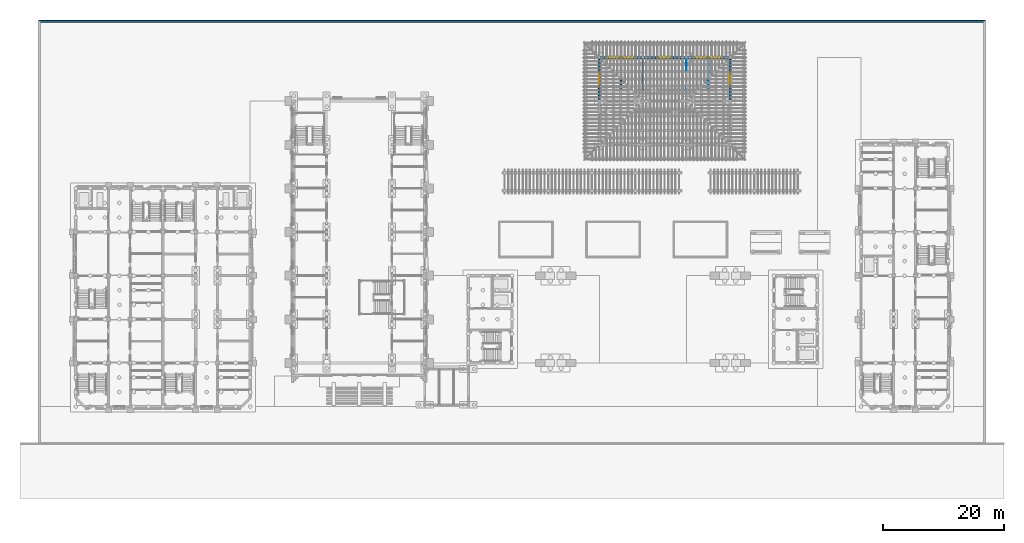
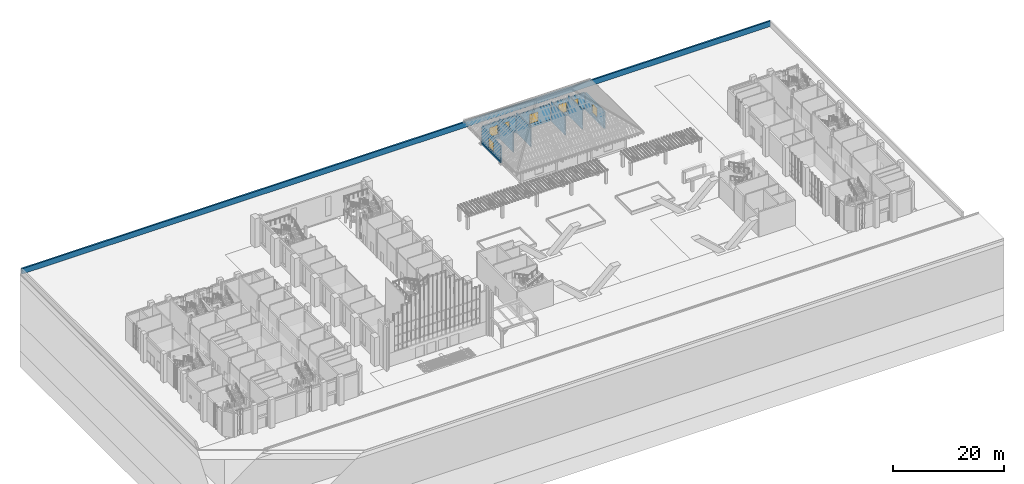
# One storey, part 41 of 84: 15 walls, 7 windows, 7 openings.
"""IFC4 building model written with IfcOpenShell, lengths in metres."""

from ifc_helpers import new_model, si_unit, direction, frame, frame_2d, origin, place, context, subcontext, project, spatial, rectangle, extrude, material, layer, layer_set, type_object, element, fill, save


model = new_model("IFC4")

# Units and contexts
model_context = context("Model", 3, precision=1e-05, world=origin(), true_north=direction((0.0, 1.0)))
body_context = subcontext(model_context, "Body", "Model", "MODEL_VIEW")
ifc_project = project(units=[si_unit("LENGTHUNIT", "METRE"), si_unit("AREAUNIT", "SQUARE_METRE"), si_unit("VOLUMEUNIT", "CUBIC_METRE"), si_unit("PLANEANGLEUNIT", "RADIAN"), si_unit("MASSUNIT", "GRAM", prefix="KILO")], contexts=[model_context])

# Site, building, storey
site_placement = place(None, origin())
site = spatial("IfcSite", under=ifc_project, at=site_placement, CompositionType="ELEMENT")
building_placement = place(site_placement, origin())
building = spatial("IfcBuilding", under=site, at=building_placement, Name="Mazhai Court Health Centre", CompositionType="ELEMENT")
storey_placement = place(building_placement, origin())
storey = spatial("IfcBuildingStorey", under=building, at=storey_placement, Name="L00", CompositionType="ELEMENT", Elevation=0.0)

# Walls
ifc_material_1 = material(Name="Clay brick masonry", Category="masonry")
ifc_layer_1 = layer(ifc_material_1, 0.330078125)
ifc_layer_set_1 = layer_set([ifc_layer_1], Name="BRICK BOUNDARY WALL 330")
wall_type_1 = type_object("IfcWallType", Name="BRICK BOUNDARY WALL 330", PredefinedType="SOLIDWALL", material=ifc_layer_set_1)
wall_1_placement = place(storey_placement, frame((0.199951171875, 69.800048828125, 0.0), z_axis=(0.0, 0.0, 1.0), x_axis=(1.0, 0.0, 0.0)))
element("IfcWall", 1, at=wall_1_placement, inside=storey, type_object=wall_type_1, Name="Boundary wall N", PredefinedType="SOLIDWALL", context=body_context, shape_type="SweptSolid", body=[
    extrude(rectangle(XDim=156.0, YDim=0.330078125, at=frame_2d((78.0, 0.0))), origin(), (0.0, 0.0, 1.0), 1.199951171875),
])
ifc_material_2 = material(Name="Clay brick masonry", Category="masonry")
ifc_layer_2 = layer(ifc_material_2, 0.330078125)
ifc_layer_set_2 = layer_set([ifc_layer_2], Name="BRICK PLINTH 330")
wall_type_2 = type_object("IfcWallType", Name="BRICK PLINTH 330", PredefinedType="SOLIDWALL", material=ifc_layer_set_2)
wall_2_placement = place(storey_placement, frame((92.760009765625, 63.800048828125, 0.0), z_axis=(0.0, 0.0, 1.0), x_axis=(1.0, 0.0, 0.0)))
element("IfcWall", 2, at=wall_2_placement, inside=storey, type_object=wall_type_2, Name="EW-V3-N0-pl", PredefinedType="SOLIDWALL", context=body_context, shape_type="SweptSolid", body=[
    extrude(rectangle(XDim=6.8798828125, YDim=0.330078125, at=frame_2d((3.43994140625, 0.0))), origin(), (0.0, 0.0, 1.0), 0.449951171875),
])
for number, where, z_axis, x_axis, name in (
    (3, (99.9599609375, 63.800048828125, 0.0), (0.0, 0.0, 1.0), (1.0, 0.0, 0.0), "EW-V3-N1-pl"),
    (4, (107.159912109375, 63.800048828125, 0.0), (0.0, 0.0, 1.0), (1.0, 0.0, 0.0), "EW-V3-N2-pl"),
):
    element("IfcWall", number, at=place(storey_placement, frame(where, z_axis=z_axis, x_axis=x_axis)), inside=storey, type_object=wall_type_2, Name=name, PredefinedType="SOLIDWALL", context=body_context, shape_type="SweptSolid", body=[
        extrude(rectangle(XDim=6.880126953125, YDim=0.330078125, at=frame_2d((3.43994140625, 0.0))), origin(), (0.0, 0.0, 1.0), 0.449951171875),
    ])
for number, where, z_axis, x_axis, name in (
    (5, (92.60009765625, 56.760009765625, 0.0), (0.0, 0.0, 1.0), (0.0, 1.0, 0.0), "EW-V3-W1-pl"),
    (6, (114.199951171875, 63.639892578125, 0.0), (0.0, 0.0, 1.0), (0.0, -1.0, 0.0), "EW-V3-E1-pl"),
):
    element("IfcWall", number, at=place(storey_placement, frame(where, z_axis=z_axis, x_axis=x_axis)), inside=storey, type_object=wall_type_2, Name=name, PredefinedType="SOLIDWALL", context=body_context, shape_type="SweptSolid", body=[
        extrude(rectangle(XDim=6.8798828125, YDim=0.330078125, at=frame_2d((3.43994140625, 0.0))), origin(), (0.0, 0.0, 1.0), 0.449951171875),
    ])
ifc_material_3 = material(Name="Gypsum plasterboard partition")
ifc_layer_3 = layer(ifc_material_3, 0.125)
ifc_layer_set_3 = layer_set([ifc_layer_3], Name="PARTITION 125 STUD EI30")
wall_type_3 = type_object("IfcWallType", Name="PARTITION 125 STUD EI30", PredefinedType="PARTITIONING", material=ifc_layer_set_3)
wall_3_placement = place(storey_placement, frame((107.0, 63.635009765625, 0.0), z_axis=(0.0, 0.0, 1.0), x_axis=(0.0, -1.0, 0.0)))
element("IfcWall", 7, at=wall_3_placement, inside=storey, type_object=wall_type_3, Name="wall-V3-L00-N-cross-3a", PredefinedType="PARTITIONING", context=body_context, shape_type="SweptSolid", body=[
    extrude(rectangle(XDim=5.159912109375, YDim=0.125, at=frame_2d((2.580078125, 0.0))), origin(), (0.0, 0.0, 1.0), 4.38232421875),
])
ifc_material_4 = material(Name="Gypsum plasterboard partition")
ifc_layer_4 = layer(ifc_material_4, 0.14990234375)
ifc_layer_set_4 = layer_set([ifc_layer_4], Name="PARTITION 150 WET AREA EI30")
wall_type_4 = type_object("IfcWallType", Name="PARTITION 150 WET AREA EI30", PredefinedType="PARTITIONING", material=ifc_layer_set_4)
wall_4_placement = place(storey_placement, frame((110.60009765625, 63.635009765625, 0.0), z_axis=(0.0, 0.0, 1.0), x_axis=(0.0, -1.0, 0.0)))
element("IfcWall", 8, at=wall_4_placement, inside=storey, type_object=wall_type_4, Name="wall-V3-L00-N-cross-4a", PredefinedType="PARTITIONING", context=body_context, shape_type="SweptSolid", body=[
    extrude(rectangle(XDim=5.159912109375, YDim=0.14990234375, at=frame_2d((2.580078125, 0.0))), origin(), (0.0, 0.0, 1.0), 4.38232421875),
])
ifc_material_5 = material(Name="Gypsum plasterboard partition")
ifc_layer_5 = layer(ifc_material_5, 0.199951171875)
ifc_layer_set_5 = layer_set([ifc_layer_5], Name="PARTITION 200 ACOUSTIC EI30")
wall_type_5 = type_object("IfcWallType", Name="PARTITION 200 ACOUSTIC EI30", PredefinedType="PARTITIONING", material=ifc_layer_set_5)
for number, where, z_axis, x_axis, name in (
    (9, (96.199951171875, 63.635009765625, 0.0), (0.0, 0.0, 1.0), (0.0, -1.0, 0.0), "wall-V3-L00-N-cross-1a"),
    (10, (99.800048828125, 63.635009765625, 0.0), (0.0, 0.0, 1.0), (0.0, -1.0, 0.0), "wall-V3-L00-N-cross-2a"),
):
    element("IfcWall", number, at=place(storey_placement, frame(where, z_axis=z_axis, x_axis=x_axis)), inside=storey, type_object=wall_type_5, Name=name, PredefinedType="PARTITIONING", context=body_context, shape_type="SweptSolid", body=[
        extrude(rectangle(XDim=5.159912109375, YDim=0.199951171875, at=frame_2d((2.580078125, 0.0))), origin(), (0.0, 0.0, 1.0), 4.38232421875),
    ])

# Wall, openings, windows
ifc_material_6 = material(Name="Teak timber cladding on timber frame", Category="wood")
ifc_layer_6 = layer(ifc_material_6, 0.300048828125)
ifc_layer_set_6 = layer_set([ifc_layer_6], Name="TIMBER CLAD WALL 300")
wall_type_6 = type_object("IfcWallType", Name="TIMBER CLAD WALL 300", PredefinedType="PARTITIONING", material=ifc_layer_set_6)
wall_5_placement = place(storey_placement, frame((92.760009765625, 63.800048828125, 0.449951171875), z_axis=(0.0, 0.0, 1.0), x_axis=(1.0, 0.0, 0.0)))
wall_5 = element("IfcWall", 11, at=wall_5_placement, inside=storey, type_object=wall_type_6, Name="EW-V3-N0", PredefinedType="PARTITIONING", context=body_context, shape_type="SweptSolid", body=[
    extrude(rectangle(XDim=6.8798828125, YDim=0.300048828125, at=frame_2d((3.43994140625, 0.0))), origin(), (0.0, 0.0, 1.0), 3.35009765625),
])
opening_1_placement = place(wall_5_placement, frame((1.340087890625, 0.0, 0.449951171875)))
opening_1 = element("IfcOpeningElement", 12, at=opening_1_placement, cuts=wall_5, Name="Opening W6", PredefinedType="OPENING", context=body_context, shape_type="SweptSolid", body=[
    extrude(rectangle(XDim=1.800048828125, YDim=2.10009765625, at=frame_2d((0.89990234375, 1.050048828125))), frame((0.0, 0.159912109375, 0.0), z_axis=(0.0, -1.0, 0.0), x_axis=(1.0, 0.0, 0.0)), (0.0, 0.0, 1.0), 0.320068359375),
])
opening_2_placement = place(wall_5_placement, frame((3.739990234375, 0.0, 0.449951171875)))
opening_2 = element("IfcOpeningElement", 13, at=opening_2_placement, cuts=wall_5, Name="Opening W6", PredefinedType="OPENING", context=body_context, shape_type="SweptSolid", body=[
    extrude(rectangle(XDim=1.800048828125, YDim=2.10009765625, at=frame_2d((0.89990234375, 1.050048828125))), frame((0.0, 0.159912109375, 0.0), z_axis=(0.0, -1.0, 0.0), x_axis=(1.0, 0.0, 0.0)), (0.0, 0.0, 1.0), 0.320068359375),
])
ifc_material_7 = material(Name="Teak timber frame, glazed", Category="wood")
window_type = type_object("IfcWindowType", Name="WINDOW PAVILION 1800x2100", PartitioningType="SINGLE_PANEL", PredefinedType="WINDOW", material=ifc_material_7)
window_1_placement = place(opening_1_placement, origin())
window_1 = element("IfcWindow", 14, at=window_1_placement, inside=storey, type_object=window_type, Name="W6 WN-V3-N0a", OverallHeight=2.10009765625, OverallWidth=1.800048828125, PartitioningType="SINGLE_PANEL", PredefinedType="WINDOW", context=body_context, shape_type="SweptSolid", body=[
    extrude(rectangle(XDim=1.800048828125, YDim=2.10009765625, at=frame_2d((0.89990234375, 1.050048828125))), frame((0.0, 0.030029296875, 0.0), z_axis=(0.0, -1.0, 0.0), x_axis=(1.0, 0.0, 0.0)), (0.0, 0.0, 1.0), 0.06005859375),
])
fill(opening_1, window_1)
window_2_placement = place(opening_2_placement, origin())
window_2 = element("IfcWindow", 15, at=window_2_placement, inside=storey, type_object=window_type, Name="W6 WN-V3-N0b", OverallHeight=2.10009765625, OverallWidth=1.800048828125, PartitioningType="SINGLE_PANEL", PredefinedType="WINDOW", context=body_context, shape_type="SweptSolid", body=[
    extrude(rectangle(XDim=1.800048828125, YDim=2.10009765625, at=frame_2d((0.89990234375, 1.050048828125))), frame((0.0, 0.030029296875, 0.0), z_axis=(0.0, -1.0, 0.0), x_axis=(1.0, 0.0, 0.0)), (0.0, 0.0, 1.0), 0.06005859375),
])
fill(opening_2, window_2)

# Wall, opening, window
wall_6_placement = place(storey_placement, frame((99.9599609375, 63.800048828125, 0.449951171875), z_axis=(0.0, 0.0, 1.0), x_axis=(1.0, 0.0, 0.0)))
wall_6 = element("IfcWall", 16, at=wall_6_placement, inside=storey, type_object=wall_type_6, Name="EW-V3-N1", PredefinedType="PARTITIONING", context=body_context, shape_type="SweptSolid", body=[
    extrude(rectangle(XDim=6.880126953125, YDim=0.300048828125, at=frame_2d((3.43994140625, 0.0))), origin(), (0.0, 0.0, 1.0), 3.35009765625),
])
opening_3_placement = place(wall_6_placement, frame((2.5400390625, 0.0, 0.449951171875)))
opening_3 = element("IfcOpeningElement", 17, at=opening_3_placement, cuts=wall_6, Name="Opening W6", PredefinedType="OPENING", context=body_context, shape_type="SweptSolid", body=[
    extrude(rectangle(XDim=1.800048828125, YDim=2.10009765625, at=frame_2d((0.89990234375, 1.050048828125))), frame((0.0, 0.159912109375, 0.0), z_axis=(0.0, -1.0, 0.0), x_axis=(1.0, 0.0, 0.0)), (0.0, 0.0, 1.0), 0.320068359375),
])
window_3_placement = place(opening_3_placement, origin())
window_3 = element("IfcWindow", 18, at=window_3_placement, inside=storey, type_object=window_type, Name="W6 WN-V3-N1", OverallHeight=2.10009765625, OverallWidth=1.800048828125, PartitioningType="SINGLE_PANEL", PredefinedType="WINDOW", context=body_context, shape_type="SweptSolid", body=[
    extrude(rectangle(XDim=1.800048828125, YDim=2.10009765625, at=frame_2d((0.89990234375, 1.050048828125))), frame((0.0, 0.030029296875, 0.0), z_axis=(0.0, -1.0, 0.0), x_axis=(1.0, 0.0, 0.0)), (0.0, 0.0, 1.0), 0.06005859375),
])
fill(opening_3, window_3)

# Wall, openings, windows
wall_7_placement = place(storey_placement, frame((107.159912109375, 63.800048828125, 0.449951171875), z_axis=(0.0, 0.0, 1.0), x_axis=(1.0, 0.0, 0.0)))
wall_7 = element("IfcWall", 19, at=wall_7_placement, inside=storey, type_object=wall_type_6, Name="EW-V3-N2", PredefinedType="PARTITIONING", context=body_context, shape_type="SweptSolid", body=[
    extrude(rectangle(XDim=6.880126953125, YDim=0.300048828125, at=frame_2d((3.43994140625, 0.0))), origin(), (0.0, 0.0, 1.0), 3.35009765625),
])
opening_4_placement = place(wall_7_placement, frame((1.340087890625, 0.0, 0.449951171875)))
opening_4 = element("IfcOpeningElement", 20, at=opening_4_placement, cuts=wall_7, Name="Opening W6", PredefinedType="OPENING", context=body_context, shape_type="SweptSolid", body=[
    extrude(rectangle(XDim=1.800048828125, YDim=2.10009765625, at=frame_2d((0.89990234375, 1.050048828125))), frame((0.0, 0.159912109375, 0.0), z_axis=(0.0, -1.0, 0.0), x_axis=(1.0, 0.0, 0.0)), (0.0, 0.0, 1.0), 0.320068359375),
])
opening_5_placement = place(wall_7_placement, frame((3.739990234375, 0.0, 0.449951171875)))
opening_5 = element("IfcOpeningElement", 21, at=opening_5_placement, cuts=wall_7, Name="Opening W6", PredefinedType="OPENING", context=body_context, shape_type="SweptSolid", body=[
    extrude(rectangle(XDim=1.800048828125, YDim=2.10009765625, at=frame_2d((0.89990234375, 1.050048828125))), frame((0.0, 0.159912109375, 0.0), z_axis=(0.0, -1.0, 0.0), x_axis=(1.0, 0.0, 0.0)), (0.0, 0.0, 1.0), 0.320068359375),
])
window_4_placement = place(opening_4_placement, origin())
window_4 = element("IfcWindow", 22, at=window_4_placement, inside=storey, type_object=window_type, Name="W6 WN-V3-N2a", OverallHeight=2.10009765625, OverallWidth=1.800048828125, PartitioningType="SINGLE_PANEL", PredefinedType="WINDOW", context=body_context, shape_type="SweptSolid", body=[
    extrude(rectangle(XDim=1.800048828125, YDim=2.10009765625, at=frame_2d((0.89990234375, 1.050048828125))), frame((0.0, 0.030029296875, 0.0), z_axis=(0.0, -1.0, 0.0), x_axis=(1.0, 0.0, 0.0)), (0.0, 0.0, 1.0), 0.06005859375),
])
fill(opening_4, window_4)
window_5_placement = place(opening_5_placement, origin())
window_5 = element("IfcWindow", 23, at=window_5_placement, inside=storey, type_object=window_type, Name="W6 WN-V3-N2b", OverallHeight=2.10009765625, OverallWidth=1.800048828125, PartitioningType="SINGLE_PANEL", PredefinedType="WINDOW", context=body_context, shape_type="SweptSolid", body=[
    extrude(rectangle(XDim=1.800048828125, YDim=2.10009765625, at=frame_2d((0.89990234375, 1.050048828125))), frame((0.0, 0.030029296875, 0.0), z_axis=(0.0, -1.0, 0.0), x_axis=(1.0, 0.0, 0.0)), (0.0, 0.0, 1.0), 0.06005859375),
])
fill(opening_5, window_5)

# Wall, opening, window
wall_8_placement = place(storey_placement, frame((92.60009765625, 56.760009765625, 0.449951171875), z_axis=(0.0, 0.0, 1.0), x_axis=(0.0, 1.0, 0.0)))
wall_8 = element("IfcWall", 24, at=wall_8_placement, inside=storey, type_object=wall_type_6, Name="EW-V3-W1", PredefinedType="PARTITIONING", context=body_context, shape_type="SweptSolid", body=[
    extrude(rectangle(XDim=6.8798828125, YDim=0.300048828125, at=frame_2d((3.43994140625, 0.0))), origin(), (0.0, 0.0, 1.0), 3.35009765625),
])
opening_6_placement = place(wall_8_placement, frame((2.5400390625, 0.0, 0.449951171875)))
opening_6 = element("IfcOpeningElement", 25, at=opening_6_placement, cuts=wall_8, Name="Opening W6", PredefinedType="OPENING", context=body_context, shape_type="SweptSolid", body=[
    extrude(rectangle(XDim=1.800048828125, YDim=2.10009765625, at=frame_2d((0.89990234375, 1.050048828125))), frame((0.0, 0.159912109375, 0.0), z_axis=(0.0, -1.0, 0.0), x_axis=(1.0, 0.0, 0.0)), (0.0, 0.0, 1.0), 0.320068359375),
])
window_6_placement = place(opening_6_placement, origin())
window_6 = element("IfcWindow", 26, at=window_6_placement, inside=storey, type_object=window_type, Name="W6 WN-V3-W1", OverallHeight=2.10009765625, OverallWidth=1.800048828125, PartitioningType="SINGLE_PANEL", PredefinedType="WINDOW", context=body_context, shape_type="SweptSolid", body=[
    extrude(rectangle(XDim=1.800048828125, YDim=2.10009765625, at=frame_2d((0.89990234375, 1.050048828125))), frame((0.0, 0.030029296875, 0.0), z_axis=(0.0, -1.0, 0.0), x_axis=(1.0, 0.0, 0.0)), (0.0, 0.0, 1.0), 0.06005859375),
])
fill(opening_6, window_6)

wall_9_placement = place(storey_placement, frame((114.199951171875, 63.639892578125, 0.449951171875), z_axis=(0.0, 0.0, 1.0), x_axis=(0.0, -1.0, 0.0)))
wall_9 = element("IfcWall", 27, at=wall_9_placement, inside=storey, type_object=wall_type_6, Name="EW-V3-E1", PredefinedType="PARTITIONING", context=body_context, shape_type="SweptSolid", body=[
    extrude(rectangle(XDim=6.8798828125, YDim=0.300048828125, at=frame_2d((3.43994140625, 0.0))), origin(), (0.0, 0.0, 1.0), 3.35009765625),
])
opening_7_placement = place(wall_9_placement, frame((2.5400390625, 0.0, 0.449951171875)))
opening_7 = element("IfcOpeningElement", 28, at=opening_7_placement, cuts=wall_9, Name="Opening W6", PredefinedType="OPENING", context=body_context, shape_type="SweptSolid", body=[
    extrude(rectangle(XDim=1.800048828125, YDim=2.10009765625, at=frame_2d((0.89990234375, 1.050048828125))), frame((0.0, 0.159912109375, 0.0), z_axis=(0.0, -1.0, 0.0), x_axis=(1.0, 0.0, 0.0)), (0.0, 0.0, 1.0), 0.320068359375),
])
window_7_placement = place(opening_7_placement, origin())
window_7 = element("IfcWindow", 29, at=window_7_placement, inside=storey, type_object=window_type, Name="W6 WN-V3-E1", OverallHeight=2.10009765625, OverallWidth=1.800048828125, PartitioningType="SINGLE_PANEL", PredefinedType="WINDOW", context=body_context, shape_type="SweptSolid", body=[
    extrude(rectangle(XDim=1.800048828125, YDim=2.10009765625, at=frame_2d((0.89990234375, 1.050048828125))), frame((0.0, 0.030029296875, 0.0), z_axis=(0.0, -1.0, 0.0), x_axis=(1.0, 0.0, 0.0)), (0.0, 0.0, 1.0), 0.06005859375),
])
fill(opening_7, window_7)

save(model, "model.ifc")
